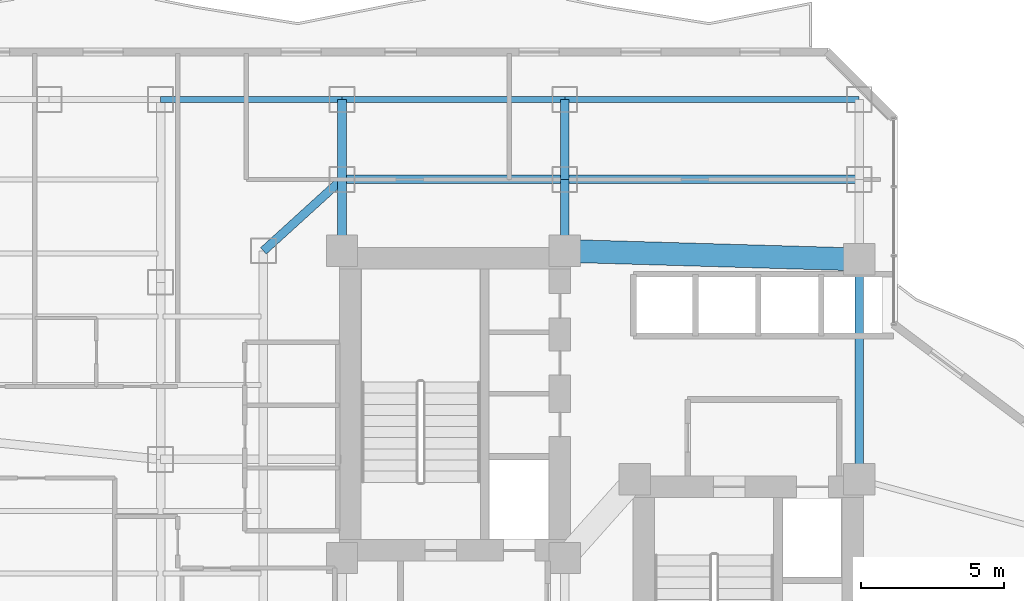
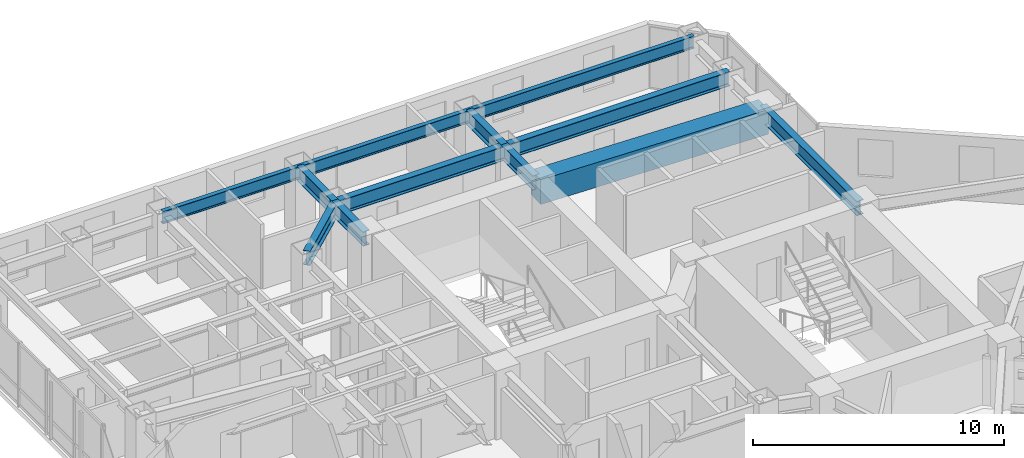
# One storey, part 18 of 31: 12 beams.
"""IFC4 building model written with IfcOpenShell, lengths in metres."""

import ifcopenshell
import ifcopenshell.guid

model = None  # the IFC model being written
_history = None  # IfcOwnerHistory: only IFC2X3 demands one
_inside = {}  # id of a spatial element -> (the spatial element, [elements in it])
_under = {}  # id of a project, library or spatial element -> (it, [spatial elements below it])
_declared = {}  # id of a project -> (the project, [libraries it declares])
_typed = {}  # id of a type object -> (the type object, [elements of that type])
_made_of = {}  # id of a material, layer set ... -> (it, [elements and type objects made of it])


def new_model(schema):
    """Start an empty IFC model of exactly this schema.

    Asked for "IFC4X3", IfcOpenShell would pick the latest addendum, in which some entities
    have other attributes; the version numbers below select the first issue.
    IFC2X3 requires an IfcOwnerHistory on every rooted entity: one is made here for all.
    """
    global model, _history
    if schema == "IFC4X3":
        model = ifcopenshell.file(schema_version=(4, 3, 0, 0))
    else:
        model = ifcopenshell.file(schema=schema)
    _inside.clear()
    _under.clear()
    _declared.clear()
    _typed.clear()
    _made_of.clear()
    _history = None
    if model.schema == "IFC2X3":
        org = make("IfcOrganization", Name="unknown")
        user = make(
            "IfcPersonAndOrganization",
            ThePerson=make("IfcPerson", FamilyName="unknown"),
            TheOrganization=org,
        )
        app = make(
            "IfcApplication",
            ApplicationDeveloper=org,
            Version="unknown",
            ApplicationFullName="unknown",
            ApplicationIdentifier="unknown",
        )
        _history = make(
            "IfcOwnerHistory",
            OwningUser=user,
            OwningApplication=app,
            ChangeAction="ADDED",
            CreationDate=0,
        )
    return model


def make(cls, **values):
    """One entity of the class cls with the attributes given. An attribute that is None is left unset."""
    return model.create_entity(
        cls, **{name: value for name, value in values.items() if value is not None}
    )


def rooted(cls, **values):
    """An entity with a GlobalId (a new one), such as an element, a storey or a relation."""
    return make(cls, GlobalId=ifcopenshell.guid.new(), OwnerHistory=_history, **values)


def si_unit(unit_type, name, prefix=None):
    """IfcSIUnit, for example si_unit("LENGTHUNIT", "METRE", prefix="MILLI")."""
    return make("IfcSIUnit", UnitType=unit_type, Prefix=prefix, Name=name)


def assignment(units):
    """IfcUnitAssignment: the units of a project."""
    return None if units is None else make("IfcUnitAssignment", Units=units)


def point(xyz):
    """IfcCartesianPoint."""
    return None if xyz is None else make("IfcCartesianPoint", Coordinates=xyz)


def direction(xyz):
    """IfcDirection."""
    return None if xyz is None else make("IfcDirection", DirectionRatios=xyz)


def frame(location, z_axis=None, x_axis=None):
    """IfcAxis2Placement3D, a coordinate frame: its origin and axes. An axis left out is left unset."""
    return make(
        "IfcAxis2Placement3D",
        Location=point(location),
        Axis=direction(z_axis),
        RefDirection=direction(x_axis),
    )


def frame_2d(location, x_axis=None):
    """IfcAxis2Placement2D, a coordinate frame in the plane: its origin and x axis."""
    return make(
        "IfcAxis2Placement2D", Location=point(location), RefDirection=direction(x_axis)
    )


def origin():
    """The frame at (0, 0, 0) with its axes left unset."""
    return frame((0.0, 0.0, 0.0))


def origin_2d():
    """The frame at (0, 0) in the plane with its x axis left unset."""
    return frame_2d((0.0, 0.0))


def place(relative_to, where):
    """IfcLocalPlacement: puts the frame where relative to a parent placement (None: the world)."""
    return make(
        "IfcLocalPlacement", PlacementRelTo=relative_to, RelativePlacement=where
    )


def context(
    kind, dimensions, precision=None, world=None, true_north=None, identifier=None
):
    """IfcGeometricRepresentationContext, for example the 3D "Model" context."""
    return make(
        "IfcGeometricRepresentationContext",
        ContextIdentifier=identifier,
        ContextType=kind,
        CoordinateSpaceDimension=dimensions,
        Precision=precision,
        WorldCoordinateSystem=world,
        TrueNorth=true_north,
    )


def subcontext(parent, identifier, kind, view, scale=None):
    """IfcGeometricRepresentationSubContext, for example "Body" below "Model"."""
    return make(
        "IfcGeometricRepresentationSubContext",
        ContextIdentifier=identifier,
        ContextType=kind,
        ParentContext=parent,
        TargetScale=scale,
        TargetView=view,
    )


def project(units=None, contexts=None):
    """IfcProject with its units and contexts."""
    return rooted(
        "IfcProject",
        Name="project",
        RepresentationContexts=contexts,
        UnitsInContext=assignment(units),
    )


def spatial(cls, under=None, at=None, **own):
    """A site, building, storey or space (cls), placed at a placement, below another one or the project."""
    s = rooted(cls, ObjectPlacement=at, **own)
    if under is not None:
        _under.setdefault(under.id(), (under, []))[1].append(s)
    return s


def profile(cls, at=None, kind="AREA", **sizes):
    """A parametric profile (cls). Its sizes go by their IFC names, for example OverallWidth=200.0."""
    return make(cls, ProfileType=kind, Position=at, **sizes)


def rectangle(**sizes):
    """IfcRectangleProfileDef."""
    return profile("IfcRectangleProfileDef", **sizes)


def i_section(**sizes):
    """IfcIShapeProfileDef."""
    return profile("IfcIShapeProfileDef", **sizes)


def extrude(swept, where, along, depth):
    """IfcExtrudedAreaSolid: the profile swept, set in the frame where, extruded along a direction by depth."""
    return make(
        "IfcExtrudedAreaSolid",
        SweptArea=swept,
        Position=where,
        ExtrudedDirection=direction(along),
        Depth=depth,
    )


def shape(context_of_items, identifier, shape_type, items):
    """IfcShapeRepresentation: the items that make up one representation, for example the "Body"."""
    return make(
        "IfcShapeRepresentation",
        ContextOfItems=context_of_items,
        RepresentationIdentifier=identifier,
        RepresentationType=shape_type,
        Items=items,
    )


def material(Name=None, Category=None):
    """IfcMaterial."""
    return make("IfcMaterial", Name=Name, Category=Category)


def material_profile(
    of_material, cross_section, Name=None, Category=None, Priority=None
):
    """IfcMaterialProfile: a cross section and its material."""
    return make(
        "IfcMaterialProfile",
        Name=Name,
        Material=of_material,
        Profile=cross_section,
        Priority=Priority,
        Category=Category,
    )


def profile_set(profiles, Name=None, composite=None):
    """IfcMaterialProfileSet."""
    return make(
        "IfcMaterialProfileSet",
        Name=Name,
        MaterialProfiles=profiles,
        CompositeProfile=composite,
    )


def made_of(thing, what):
    """Note that an element or type object is made of a material, layer set ...; save() writes the relation."""
    if what is not None:
        _made_of.setdefault(what.id(), (what, []))[1].append(thing)
    return thing


def type_object(cls, material=None, **own):
    """A type object (cls), such as IfcWallType, which elements share."""
    return made_of(rooted(cls, **own), material)


def element(
    cls,
    number,
    at=None,
    inside=None,
    cuts=None,
    type_object=None,
    material=None,
    context=None,
    identifier="Body",
    shape_type=None,
    held_by="IfcProductDefinitionShape",
    body=None,
    shapes=None,
    **own,
):
    """One element of the class cls, such as IfcWall. Its Tag is "e" and its number.

    at: its placement. inside: the storey or other place that contains it. cuts: it is an
    opening in that element (IfcRelVoidsElement). A single representation is given by context,
    identifier, shape_type and body (its items); several are given by shapes. held_by: the class
    of the entity that holds the representations. save() writes the other relations.
    """
    e = rooted(cls, Tag="e%d" % number, ObjectPlacement=at, **own)
    if body is not None:
        shapes = [shape(context, identifier, shape_type, body)]
    if shapes is not None:
        e.Representation = make(held_by, Representations=shapes)
    if inside is not None:
        _inside.setdefault(inside.id(), (inside, []))[1].append(e)
    if cuts is not None:
        rooted(
            "IfcRelVoidsElement", RelatingBuildingElement=cuts, RelatedOpeningElement=e
        )
    if type_object is not None:
        _typed.setdefault(type_object.id(), (type_object, []))[1].append(e)
    return made_of(e, material)


def aggregate(whole, parts):
    """IfcRelAggregates: a whole, such as a stair, and the parts it consists of."""
    return rooted("IfcRelAggregates", RelatingObject=whole, RelatedObjects=parts)


def save(model, path):
    """Write the relations noted so far, then the file.

    IfcRelAggregates (storeys below a building ...), IfcRelContainedInSpatialStructure (elements
    in a storey), IfcRelDefinesByType, IfcRelAssociatesMaterial and IfcRelDeclares: one each for
    every whole, place, type object, material and project.
    """
    for whole, parts in _under.values():
        aggregate(whole, parts)
    for where, things in _inside.values():
        rooted(
            "IfcRelContainedInSpatialStructure",
            RelatedElements=things,
            RelatingStructure=where,
        )
    for kind, things in _typed.values():
        rooted("IfcRelDefinesByType", RelatedObjects=things, RelatingType=kind)
    for what, things in _made_of.values():
        rooted("IfcRelAssociatesMaterial", RelatedObjects=things, RelatingMaterial=what)
    for by, libraries in _declared.values():
        rooted("IfcRelDeclares", RelatingContext=by, RelatedDefinitions=libraries)
    model.write(path)


model = new_model("IFC4")

# Units and contexts
model_context = context("Model", 3, precision=1e-05, world=origin(), true_north=direction((0.0, 1.0)))
body_context = subcontext(model_context, "Body", "Model", "MODEL_VIEW")
ifc_project = project(units=[si_unit("LENGTHUNIT", "METRE"), si_unit("AREAUNIT", "SQUARE_METRE"), si_unit("VOLUMEUNIT", "CUBIC_METRE"), si_unit("PLANEANGLEUNIT", "RADIAN"), si_unit("MASSUNIT", "GRAM", prefix="KILO")], contexts=[model_context])

# Site, building, storey
site_placement = place(None, origin())
site = spatial("IfcSite", under=ifc_project, at=site_placement, CompositionType="ELEMENT")
building_placement = place(site_placement, origin())
building = spatial("IfcBuilding", under=site, at=building_placement, Name="Hatsunagi Terrace Concourse", CompositionType="ELEMENT")
storey_placement = place(building_placement, frame((0.0, 0.0, 81.300048828125)))
storey = spatial("IfcBuildingStorey", under=building, at=storey_placement, Name="L21", CompositionType="ELEMENT", Elevation=81.300048828125)

# Beams
ifc_material_1 = material(Name="Concrete Fc60", Category="concrete")
ifc_material_profile_1 = material_profile(ifc_material_1, rectangle(XDim=0.800048828125, YDim=1.199951171875, at=origin_2d()), Name="RC-800x1200")
ifc_profile_set_1 = profile_set([ifc_material_profile_1], Name="Concrete Fc60")
beam_type_1 = type_object("IfcBeamType", Name="CoreCouplingBeam_RC_800x1200", PredefinedType="BEAM", material=ifc_profile_set_1)
beam_1_placement = place(storey_placement, frame((33.35009765625, 43.300048828125, 2.530029296875), z_axis=(0.999575947545, -0.029119153303, 0.0), x_axis=(0.029119153303, 0.999575947545, 0.0)))
element("IfcBeam", 1, at=beam_1_placement, inside=storey, type_object=beam_type_1, Name="Beam CB-01 CB-L21-2", PredefinedType="BEAM", context=body_context, shape_type="SweptSolid", body=[
    extrude(rectangle(XDim=0.800048828125, YDim=1.199951171875, at=origin_2d()), origin(), (0.0, 0.0, 1.0), 10.30419921875),
])
ifc_material_2 = material(Name="Steel SN490B", Category="steel")
ifc_material_profile_2 = material_profile(ifc_material_2, i_section(OverallWidth=0.300048828125, OverallDepth=0.699951171875, WebThickness=0.012939453125, FlangeThickness=0.02392578125, FilletRadius=0.02197265625, at=origin_2d()), Name="H-700x300x13x24")
ifc_profile_set_2 = profile_set([ifc_material_profile_2], Name="Steel SN490B")
beam_type_2 = type_object("IfcBeamType", Name="HotelFloorGirder_H_700x300", PredefinedType="BEAM", material=ifc_profile_set_2)
beam_2_placement = place(storey_placement, frame((43.64990234375, 35.300048828125, 2.780029296875), z_axis=(0.0, 1.0, 0.0), x_axis=(-1.0, 0.0, 0.0)))
element("IfcBeam", 2, at=beam_2_placement, inside=storey, type_object=beam_type_2, Name="Beam G-04 BM-L21-CBK3", PredefinedType="BEAM", context=body_context, shape_type="SweptSolid", body=[
    extrude(i_section(OverallWidth=0.300048828125, OverallDepth=0.699951171875, WebThickness=0.012939453125, FlangeThickness=0.02392578125, FilletRadius=0.02197265625, at=origin_2d()), origin(), (0.0, 0.0, 1.0), 7.699951171875),
])
for number, where, z_axis, x_axis, name in (
    (3, (25.550048828125, 43.300048828125, 2.780029296875), (0.0, 1.0, 0.0), (-1.0, 0.0, 0.0), "Beam G-04 BM-L21-CN1"),
    (4, (33.35009765625, 43.300048828125, 2.780029296875), (0.0, 1.0, 0.0), (-1.0, 0.0, 0.0), "Beam G-04 BM-L21-CN2"),
):
    element("IfcBeam", number, at=place(storey_placement, frame(where, z_axis=z_axis, x_axis=x_axis)), inside=storey, type_object=beam_type_2, Name=name, PredefinedType="BEAM", context=body_context, shape_type="SweptSolid", body=[
        extrude(i_section(OverallWidth=0.300048828125, OverallDepth=0.699951171875, WebThickness=0.012939453125, FlangeThickness=0.02392578125, FilletRadius=0.02197265625, at=origin_2d()), origin(), (0.0, 0.0, 1.0), 2.5),
    ])
beam_3_placement = place(storey_placement, frame((25.550048828125, 45.800048828125, 2.780029296875), z_axis=(1.0, 0.0, 0.0), x_axis=(0.0, 1.0, 0.0)))
element("IfcBeam", 5, at=beam_3_placement, inside=storey, type_object=beam_type_2, Name="Beam G-04 BM-L21-CNEW1", PredefinedType="BEAM", context=body_context, shape_type="SweptSolid", body=[
    extrude(i_section(OverallWidth=0.300048828125, OverallDepth=0.699951171875, WebThickness=0.012939453125, FlangeThickness=0.02392578125, FilletRadius=0.02197265625, at=origin_2d()), origin(), (0.0, 0.0, 1.0), 7.800048828125),
])
beam_4_placement = place(storey_placement, frame((33.35009765625, 45.800048828125, 2.780029296875), z_axis=(1.0, 0.0, 0.0), x_axis=(0.0, 1.0, 0.0)))
element("IfcBeam", 6, at=beam_4_placement, inside=storey, type_object=beam_type_2, Name="Beam G-04 BM-L21-CNEW2", PredefinedType="BEAM", context=body_context, shape_type="SweptSolid", body=[
    extrude(i_section(OverallWidth=0.300048828125, OverallDepth=0.699951171875, WebThickness=0.012939453125, FlangeThickness=0.02392578125, FilletRadius=0.02197265625, at=origin_2d()), origin(), (0.0, 0.0, 1.0), 10.2998046875),
])
for number, where, z_axis, x_axis, name in (
    (7, (25.550048828125, 45.800048828125, 2.780029296875), (0.0, 1.0, 0.0), (-1.0, 0.0, 0.0), "Beam G-04 BM-L21-KN-WN4"),
    (8, (33.35009765625, 45.800048828125, 2.780029296875), (0.0, 1.0, 0.0), (-1.0, 0.0, 0.0), "Beam G-04 BM-L21-KN-WN5"),
):
    element("IfcBeam", number, at=place(storey_placement, frame(where, z_axis=z_axis, x_axis=x_axis)), inside=storey, type_object=beam_type_2, Name=name, PredefinedType="BEAM", context=body_context, shape_type="SweptSolid", body=[
        extrude(i_section(OverallWidth=0.300048828125, OverallDepth=0.699951171875, WebThickness=0.012939453125, FlangeThickness=0.02392578125, FilletRadius=0.02197265625, at=origin_2d()), origin(), (0.0, 0.0, 1.0), 2.800048828125),
    ])
beam_5_placement = place(storey_placement, frame((22.800048828125, 43.300048828125, 2.780029296875), z_axis=(0.739940073396, 0.672672793996, 0.0), x_axis=(-0.672672793996, 0.739940073396, 0.0)))
element("IfcBeam", 9, at=beam_5_placement, inside=storey, type_object=beam_type_2, Name="Beam G-04 BM-L21-CWEW-N", PredefinedType="BEAM", context=body_context, shape_type="SweptSolid", body=[
    extrude(i_section(OverallWidth=0.300048828125, OverallDepth=0.699951171875, WebThickness=0.012939453125, FlangeThickness=0.02392578125, FilletRadius=0.02197265625, at=origin_2d()), origin(), (0.0, 0.0, 1.0), 3.716552734375),
])
ifc_material_3 = material(Name="Steel SN490B", Category="steel")
ifc_material_profile_3 = material_profile(ifc_material_3, i_section(OverallWidth=0.199951171875, OverallDepth=0.60009765625, WebThickness=0.010986328125, FlangeThickness=0.01708984375, FilletRadius=0.01806640625, at=origin_2d()), Name="H-600x200x11x17")
ifc_profile_set_3 = profile_set([ifc_material_profile_3], Name="Steel SN490B")
beam_type_3 = type_object("IfcBeamType", Name="PerimeterSpandrel_H_600x200", PredefinedType="SPANDREL", material=ifc_profile_set_3)
beam_6_placement = place(storey_placement, frame((19.199951171875, 48.60009765625, 2.829833984375), z_axis=(1.0, 0.0, 0.0), x_axis=(0.0, 1.0, 0.0)))
element("IfcBeam", 10, at=beam_6_placement, inside=storey, type_object=beam_type_3, Name="Beam SP-01 BM-L21-WN-19", PredefinedType="SPANDREL", context=body_context, shape_type="SweptSolid", body=[
    extrude(i_section(OverallWidth=0.199951171875, OverallDepth=0.60009765625, WebThickness=0.010986328125, FlangeThickness=0.01708984375, FilletRadius=0.01806640625, at=origin_2d()), origin(), (0.0, 0.0, 1.0), 6.35009765625),
])
beam_7_placement = place(storey_placement, frame((25.550048828125, 48.60009765625, 2.829833984375), z_axis=(1.0, 0.0, 0.0), x_axis=(0.0, 1.0, 0.0)))
element("IfcBeam", 11, at=beam_7_placement, inside=storey, type_object=beam_type_3, Name="Beam SP-01 BM-L21-WN-25", PredefinedType="SPANDREL", context=body_context, shape_type="SweptSolid", body=[
    extrude(i_section(OverallWidth=0.199951171875, OverallDepth=0.60009765625, WebThickness=0.010986328125, FlangeThickness=0.01708984375, FilletRadius=0.01806640625, at=origin_2d()), origin(), (0.0, 0.0, 1.0), 7.800048828125),
])
beam_8_placement = place(storey_placement, frame((33.35009765625, 48.60009765625, 2.829833984375), z_axis=(1.0, 0.0, 0.0), x_axis=(0.0, 1.0, 0.0)))
element("IfcBeam", 12, at=beam_8_placement, inside=storey, type_object=beam_type_3, Name="Beam SP-01 BM-L21-WN-33", PredefinedType="SPANDREL", context=body_context, shape_type="SweptSolid", body=[
    extrude(i_section(OverallWidth=0.199951171875, OverallDepth=0.60009765625, WebThickness=0.010986328125, FlangeThickness=0.01708984375, FilletRadius=0.01806640625, at=origin_2d()), origin(), (0.0, 0.0, 1.0), 10.2998046875),
])

save(model, "model.ifc")
